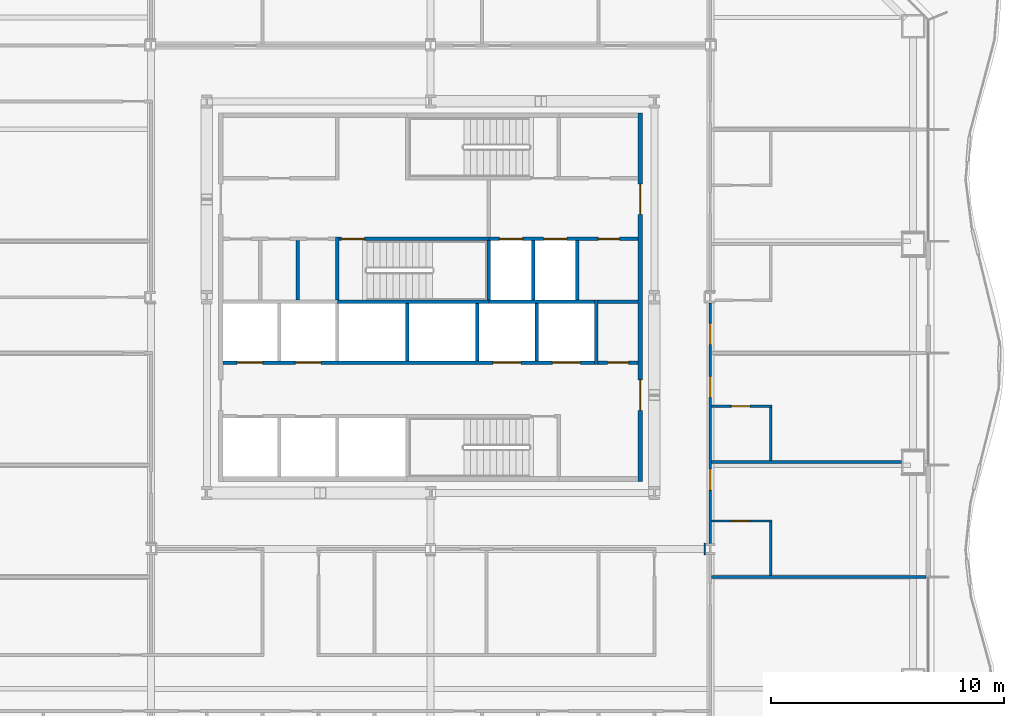
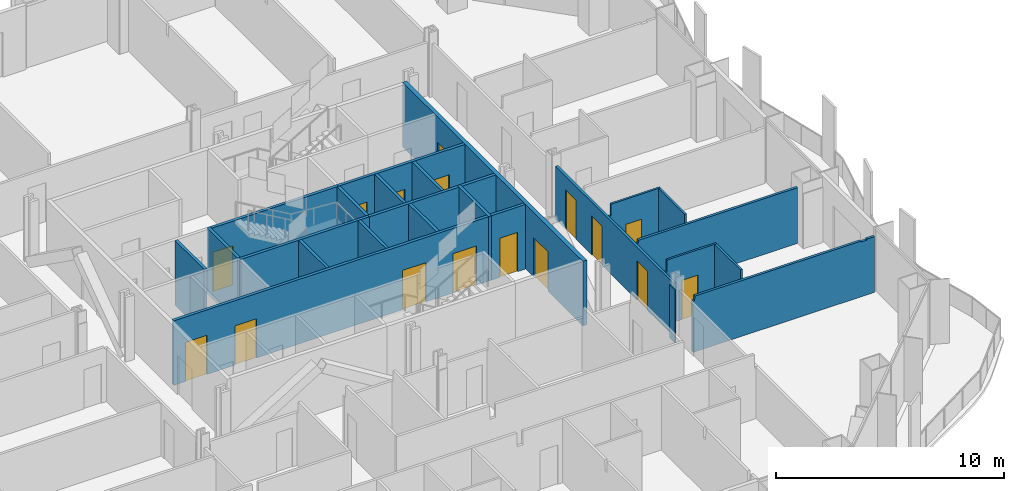
# One storey, part 10 of 21: 25 walls, 16 doors, 16 openings.
"""IFC4 building model written with IfcOpenShell, lengths in metres."""

import ifcopenshell
import ifcopenshell.guid

model = None  # the IFC model being written
_history = None  # IfcOwnerHistory: only IFC2X3 demands one
_inside = {}  # id of a spatial element -> (the spatial element, [elements in it])
_under = {}  # id of a project, library or spatial element -> (it, [spatial elements below it])
_declared = {}  # id of a project -> (the project, [libraries it declares])
_typed = {}  # id of a type object -> (the type object, [elements of that type])
_made_of = {}  # id of a material, layer set ... -> (it, [elements and type objects made of it])


def new_model(schema):
    """Start an empty IFC model of exactly this schema.

    Asked for "IFC4X3", IfcOpenShell would pick the latest addendum, in which some entities
    have other attributes; the version numbers below select the first issue.
    IFC2X3 requires an IfcOwnerHistory on every rooted entity: one is made here for all.
    """
    global model, _history
    if schema == "IFC4X3":
        model = ifcopenshell.file(schema_version=(4, 3, 0, 0))
    else:
        model = ifcopenshell.file(schema=schema)
    _inside.clear()
    _under.clear()
    _declared.clear()
    _typed.clear()
    _made_of.clear()
    _history = None
    if model.schema == "IFC2X3":
        org = make("IfcOrganization", Name="unknown")
        user = make(
            "IfcPersonAndOrganization",
            ThePerson=make("IfcPerson", FamilyName="unknown"),
            TheOrganization=org,
        )
        app = make(
            "IfcApplication",
            ApplicationDeveloper=org,
            Version="unknown",
            ApplicationFullName="unknown",
            ApplicationIdentifier="unknown",
        )
        _history = make(
            "IfcOwnerHistory",
            OwningUser=user,
            OwningApplication=app,
            ChangeAction="ADDED",
            CreationDate=0,
        )
    return model


def make(cls, **values):
    """One entity of the class cls with the attributes given. An attribute that is None is left unset."""
    return model.create_entity(
        cls, **{name: value for name, value in values.items() if value is not None}
    )


def rooted(cls, **values):
    """An entity with a GlobalId (a new one), such as an element, a storey or a relation."""
    return make(cls, GlobalId=ifcopenshell.guid.new(), OwnerHistory=_history, **values)


def si_unit(unit_type, name, prefix=None):
    """IfcSIUnit, for example si_unit("LENGTHUNIT", "METRE", prefix="MILLI")."""
    return make("IfcSIUnit", UnitType=unit_type, Prefix=prefix, Name=name)


def assignment(units):
    """IfcUnitAssignment: the units of a project."""
    return None if units is None else make("IfcUnitAssignment", Units=units)


def point(xyz):
    """IfcCartesianPoint."""
    return None if xyz is None else make("IfcCartesianPoint", Coordinates=xyz)


def direction(xyz):
    """IfcDirection."""
    return None if xyz is None else make("IfcDirection", DirectionRatios=xyz)


def frame(location, z_axis=None, x_axis=None):
    """IfcAxis2Placement3D, a coordinate frame: its origin and axes. An axis left out is left unset."""
    return make(
        "IfcAxis2Placement3D",
        Location=point(location),
        Axis=direction(z_axis),
        RefDirection=direction(x_axis),
    )


def frame_2d(location, x_axis=None):
    """IfcAxis2Placement2D, a coordinate frame in the plane: its origin and x axis."""
    return make(
        "IfcAxis2Placement2D", Location=point(location), RefDirection=direction(x_axis)
    )


def origin():
    """The frame at (0, 0, 0) with its axes left unset."""
    return frame((0.0, 0.0, 0.0))


def place(relative_to, where):
    """IfcLocalPlacement: puts the frame where relative to a parent placement (None: the world)."""
    return make(
        "IfcLocalPlacement", PlacementRelTo=relative_to, RelativePlacement=where
    )


def context(
    kind, dimensions, precision=None, world=None, true_north=None, identifier=None
):
    """IfcGeometricRepresentationContext, for example the 3D "Model" context."""
    return make(
        "IfcGeometricRepresentationContext",
        ContextIdentifier=identifier,
        ContextType=kind,
        CoordinateSpaceDimension=dimensions,
        Precision=precision,
        WorldCoordinateSystem=world,
        TrueNorth=true_north,
    )


def subcontext(parent, identifier, kind, view, scale=None):
    """IfcGeometricRepresentationSubContext, for example "Body" below "Model"."""
    return make(
        "IfcGeometricRepresentationSubContext",
        ContextIdentifier=identifier,
        ContextType=kind,
        ParentContext=parent,
        TargetScale=scale,
        TargetView=view,
    )


def project(units=None, contexts=None):
    """IfcProject with its units and contexts."""
    return rooted(
        "IfcProject",
        Name="project",
        RepresentationContexts=contexts,
        UnitsInContext=assignment(units),
    )


def spatial(cls, under=None, at=None, **own):
    """A site, building, storey or space (cls), placed at a placement, below another one or the project."""
    s = rooted(cls, ObjectPlacement=at, **own)
    if under is not None:
        _under.setdefault(under.id(), (under, []))[1].append(s)
    return s


def polyline(points):
    """IfcPolyline through the points."""
    return make("IfcPolyline", Points=[point(p) for p in points])


def profile(cls, at=None, kind="AREA", **sizes):
    """A parametric profile (cls). Its sizes go by their IFC names, for example OverallWidth=200.0."""
    return make(cls, ProfileType=kind, Position=at, **sizes)


def rectangle(**sizes):
    """IfcRectangleProfileDef."""
    return profile("IfcRectangleProfileDef", **sizes)


def outline(outer, holes=None, kind="AREA"):
    """IfcArbitraryClosedProfileDef: a profile drawn as a closed curve; with holes, ...WithVoids."""
    if holes is None:
        return make("IfcArbitraryClosedProfileDef", ProfileType=kind, OuterCurve=outer)
    return make(
        "IfcArbitraryProfileDefWithVoids",
        ProfileType=kind,
        OuterCurve=outer,
        InnerCurves=holes,
    )


def extrude(swept, where, along, depth):
    """IfcExtrudedAreaSolid: the profile swept, set in the frame where, extruded along a direction by depth."""
    return make(
        "IfcExtrudedAreaSolid",
        SweptArea=swept,
        Position=where,
        ExtrudedDirection=direction(along),
        Depth=depth,
    )


def shape(context_of_items, identifier, shape_type, items):
    """IfcShapeRepresentation: the items that make up one representation, for example the "Body"."""
    return make(
        "IfcShapeRepresentation",
        ContextOfItems=context_of_items,
        RepresentationIdentifier=identifier,
        RepresentationType=shape_type,
        Items=items,
    )


def material(Name=None, Category=None):
    """IfcMaterial."""
    return make("IfcMaterial", Name=Name, Category=Category)


def layer(
    of_material, thickness, ventilated=None, Name=None, Category=None, Priority=None
):
    """IfcMaterialLayer: one layer of a wall or slab, of a material (None: an air gap)."""
    return make(
        "IfcMaterialLayer",
        Material=of_material,
        LayerThickness=thickness,
        IsVentilated=ventilated,
        Name=Name,
        Category=Category,
        Priority=Priority,
    )


def layer_set(layers, Name=None):
    """IfcMaterialLayerSet."""
    return make("IfcMaterialLayerSet", MaterialLayers=layers, LayerSetName=Name)


def made_of(thing, what):
    """Note that an element or type object is made of a material, layer set ...; save() writes the relation."""
    if what is not None:
        _made_of.setdefault(what.id(), (what, []))[1].append(thing)
    return thing


def type_object(cls, material=None, **own):
    """A type object (cls), such as IfcWallType, which elements share."""
    return made_of(rooted(cls, **own), material)


def element(
    cls,
    number,
    at=None,
    inside=None,
    cuts=None,
    type_object=None,
    material=None,
    context=None,
    identifier="Body",
    shape_type=None,
    held_by="IfcProductDefinitionShape",
    body=None,
    shapes=None,
    **own,
):
    """One element of the class cls, such as IfcWall. Its Tag is "e" and its number.

    at: its placement. inside: the storey or other place that contains it. cuts: it is an
    opening in that element (IfcRelVoidsElement). A single representation is given by context,
    identifier, shape_type and body (its items); several are given by shapes. held_by: the class
    of the entity that holds the representations. save() writes the other relations.
    """
    e = rooted(cls, Tag="e%d" % number, ObjectPlacement=at, **own)
    if body is not None:
        shapes = [shape(context, identifier, shape_type, body)]
    if shapes is not None:
        e.Representation = make(held_by, Representations=shapes)
    if inside is not None:
        _inside.setdefault(inside.id(), (inside, []))[1].append(e)
    if cuts is not None:
        rooted(
            "IfcRelVoidsElement", RelatingBuildingElement=cuts, RelatedOpeningElement=e
        )
    if type_object is not None:
        _typed.setdefault(type_object.id(), (type_object, []))[1].append(e)
    return made_of(e, material)


def fill(opening, filler):
    """IfcRelFillsElement: the door or window that sits in an opening."""
    return rooted(
        "IfcRelFillsElement",
        RelatingOpeningElement=opening,
        RelatedBuildingElement=filler,
    )


def aggregate(whole, parts):
    """IfcRelAggregates: a whole, such as a stair, and the parts it consists of."""
    return rooted("IfcRelAggregates", RelatingObject=whole, RelatedObjects=parts)


def save(model, path):
    """Write the relations noted so far, then the file.

    IfcRelAggregates (storeys below a building ...), IfcRelContainedInSpatialStructure (elements
    in a storey), IfcRelDefinesByType, IfcRelAssociatesMaterial and IfcRelDeclares: one each for
    every whole, place, type object, material and project.
    """
    for whole, parts in _under.values():
        aggregate(whole, parts)
    for where, things in _inside.values():
        rooted(
            "IfcRelContainedInSpatialStructure",
            RelatedElements=things,
            RelatingStructure=where,
        )
    for kind, things in _typed.values():
        rooted("IfcRelDefinesByType", RelatedObjects=things, RelatingType=kind)
    for what, things in _made_of.values():
        rooted("IfcRelAssociatesMaterial", RelatedObjects=things, RelatingMaterial=what)
    for by, libraries in _declared.values():
        rooted("IfcRelDeclares", RelatingContext=by, RelatedDefinitions=libraries)
    model.write(path)


model = new_model("IFC4")

# Units and contexts
model_context = context("Model", 3, precision=1e-05, world=origin(), true_north=direction((0.0, 1.0)))
body_context = subcontext(model_context, "Body", "Model", "MODEL_VIEW")
ifc_project = project(units=[si_unit("LENGTHUNIT", "METRE"), si_unit("AREAUNIT", "SQUARE_METRE"), si_unit("VOLUMEUNIT", "CUBIC_METRE"), si_unit("PLANEANGLEUNIT", "RADIAN"), si_unit("MASSUNIT", "GRAM", prefix="KILO")], contexts=[model_context])

# Site, building, storey
site_placement = place(None, origin())
site = spatial("IfcSite", under=ifc_project, at=site_placement, CompositionType="ELEMENT")
building_placement = place(site_placement, origin())
building = spatial("IfcBuilding", under=site, at=building_placement, Name="Cairn Pilgrim Tower", CompositionType="ELEMENT")
storey_placement = place(building_placement, frame((0.0, 0.0, 47.39990234375)))
storey = spatial("IfcBuildingStorey", under=building, at=storey_placement, Name="L09", CompositionType="ELEMENT", Elevation=47.39990234375)

# Wall, openings, doors
ifc_material_1 = material(Name="Concrete C32/40", Category="concrete")
ifc_layer_1 = layer(ifc_material_1, 0.199951171875)
ifc_layer_set_1 = layer_set([ifc_layer_1], Name="CORE OUTER WALL 200 EI 120")
wall_type_1 = type_object("IfcWallType", Name="CORE OUTER WALL 200 EI 120", PredefinedType="SOLIDWALL", material=ifc_layer_set_1)
wall_1_placement = place(storey_placement, frame((16.199951171875, -5.5, 0.0), z_axis=(0.0, 0.0, 1.0), x_axis=(0.0, 1.0, 0.0)))
wall_1 = element("IfcWall", 1, at=wall_1_placement, inside=storey, type_object=wall_type_1, Name="CW:L09:V33", PredefinedType="SOLIDWALL", context=body_context, shape_type="SweptSolid", body=[
    extrude(rectangle(XDim=15.800048828125, YDim=0.199951171875, at=frame_2d((7.89990234375, 0.0))), origin(), (0.0, 0.0, 1.0), 3.4501953125),
])
opening_1_placement = place(wall_1_placement, frame((3.050048828125, 0.0, 0.0)))
opening_1 = element("IfcOpeningElement", 2, at=opening_1_placement, cuts=wall_1, Name="Opening CD-E1", PredefinedType="OPENING", context=body_context, shape_type="SweptSolid", body=[
    extrude(rectangle(XDim=1.300048828125, YDim=2.10009765625, at=frame_2d((0.64990234375, 1.050048828125))), frame((0.0, 0.10986328125, 0.0), z_axis=(0.0, -1.0, 0.0), x_axis=(1.0, 0.0, 0.0)), (0.0, 0.0, 1.0), 0.219970703125),
])
opening_2_placement = place(wall_1_placement, frame((11.449951171875, 0.0, 0.0)))
opening_2 = element("IfcOpeningElement", 3, at=opening_2_placement, cuts=wall_1, Name="Opening CD-E2", PredefinedType="OPENING", context=body_context, shape_type="SweptSolid", body=[
    extrude(rectangle(XDim=1.300048828125, YDim=2.10009765625, at=frame_2d((0.64990234375, 1.050048828125))), frame((0.0, 0.10986328125, 0.0), z_axis=(0.0, -1.0, 0.0), x_axis=(1.0, 0.0, 0.0)), (0.0, 0.0, 1.0), 0.219970703125),
])
ifc_material_2 = material(Name="Painted steel", Category="steel")
door_type_1 = type_object("IfcDoorType", Name="CORE LOBBY DOOR 1300x2100", OperationType="DOUBLE_DOOR_SINGLE_SWING", PredefinedType="DOOR", material=ifc_material_2)
door_1_placement = place(opening_1_placement, origin())
door_1 = element("IfcDoor", 4, at=door_1_placement, inside=storey, type_object=door_type_1, Name="CD-E1", OperationType="DOUBLE_DOOR_SINGLE_SWING", OverallHeight=2.10009765625, OverallWidth=1.300048828125, PredefinedType="DOOR", context=body_context, shape_type="SweptSolid", body=[
    extrude(rectangle(XDim=1.300048828125, YDim=2.10009765625, at=frame_2d((0.64990234375, 1.050048828125))), frame((0.0, 0.02490234375, 0.0), z_axis=(0.0, -1.0, 0.0), x_axis=(1.0, 0.0, 0.0)), (0.0, 0.0, 1.0), 0.050048828125),
])
fill(opening_1, door_1)
door_2_placement = place(opening_2_placement, origin())
door_2 = element("IfcDoor", 5, at=door_2_placement, inside=storey, type_object=door_type_1, Name="CD-E2", OperationType="DOUBLE_DOOR_SINGLE_SWING", OverallHeight=2.10009765625, OverallWidth=1.300048828125, PredefinedType="DOOR", context=body_context, shape_type="SweptSolid", body=[
    extrude(rectangle(XDim=1.300048828125, YDim=2.10009765625, at=frame_2d((0.64990234375, 1.050048828125))), frame((0.0, 0.02490234375, 0.0), z_axis=(0.0, -1.0, 0.0), x_axis=(1.0, 0.0, 0.0)), (0.0, 0.0, 1.0), 0.050048828125),
])
fill(opening_2, door_2)

# Wall, opening, door
ifc_layer_2 = layer(ifc_material_1, 0.14990234375)
ifc_layer_set_2 = layer_set([ifc_layer_2], Name="CORE PARTITION 150 EI 60")
wall_type_2 = type_object("IfcWallType", Name="CORE PARTITION 150 EI 60", PredefinedType="PARTITIONING", material=ifc_layer_set_2)
wall_2_placement = place(storey_placement, frame((14.375, -0.39990234375, 0.0), z_axis=(0.0, 0.0, 1.0), x_axis=(1.0, 0.0, 0.0)))
wall_2 = element("IfcWall", 6, at=wall_2_placement, inside=storey, type_object=wall_type_2, Name="CW:L09:H04", PredefinedType="PARTITIONING", context=body_context, shape_type="SweptSolid", body=[
    extrude(rectangle(XDim=1.72509765625, YDim=0.14990234375, at=frame_2d((0.862548828125, 0.0))), origin(), (0.0, 0.0, 1.0), 3.4501953125),
])
opening_3_placement = place(wall_2_placement, frame((0.425048828125, 0.0, 0.0)))
opening_3 = element("IfcOpeningElement", 7, at=opening_3_placement, cuts=wall_2, Name="Opening RD-R2E", PredefinedType="OPENING", context=body_context, shape_type="SweptSolid", body=[
    extrude(rectangle(XDim=0.89990234375, YDim=2.10009765625, at=frame_2d((0.449951171875, 1.050048828125))), frame((0.0, 0.0849609375, 0.0), z_axis=(0.0, -1.0, 0.0), x_axis=(1.0, 0.0, 0.0)), (0.0, 0.0, 1.0), 0.169921875),
])
door_type_2 = type_object("IfcDoorType", Name="SERVICE ROOM DOOR 900x2100", OperationType="SINGLE_SWING_LEFT", PredefinedType="DOOR", material=ifc_material_2)
door_3_placement = place(opening_3_placement, origin())
door_3 = element("IfcDoor", 8, at=door_3_placement, inside=storey, type_object=door_type_2, Name="RD-R2E", OperationType="SINGLE_SWING_LEFT", OverallHeight=2.10009765625, OverallWidth=0.89990234375, PredefinedType="DOOR", context=body_context, shape_type="SweptSolid", body=[
    extrude(rectangle(XDim=0.89990234375, YDim=2.10009765625, at=frame_2d((0.449951171875, 1.050048828125))), frame((0.0, 0.02490234375, 0.0), z_axis=(0.0, -1.0, 0.0), x_axis=(1.0, 0.0, 0.0)), (0.0, 0.0, 1.0), 0.050048828125),
])
fill(opening_3, door_3)

# Walls
wall_3_placement = place(storey_placement, frame((14.375, 2.199951171875, 0.0), z_axis=(0.0, 0.0, 1.0), x_axis=(1.0, 0.0, 0.0)))
element("IfcWall", 9, at=wall_3_placement, inside=storey, type_object=wall_type_2, Name="CW:L09:H06", PredefinedType="PARTITIONING", context=body_context, shape_type="SweptSolid", body=[
    extrude(rectangle(XDim=1.72509765625, YDim=0.14990234375, at=frame_2d((0.862548828125, 0.0))), origin(), (0.0, 0.0, 1.0), 3.4501953125),
])
wall_4_placement = place(storey_placement, frame((1.5, 2.27490234375, 0.0), z_axis=(0.0, 0.0, 1.0), x_axis=(0.0, 1.0, 0.0)))
element("IfcWall", 10, at=wall_4_placement, inside=storey, type_object=wall_type_2, Name="CW:L09:V16", PredefinedType="PARTITIONING", context=body_context, shape_type="SweptSolid", body=[
    extrude(rectangle(XDim=2.550048828125, YDim=0.14990234375, at=frame_2d((1.27490234375, 0.0))), origin(), (0.0, 0.0, 1.0), 3.4501953125),
])

# Wall, openings, doors
ifc_layer_3 = layer(ifc_material_1, 0.14990234375)
ifc_layer_set_3 = layer_set([ifc_layer_3], Name="CORE SHAFT WALL 150 EI 120")
wall_type_3 = type_object("IfcWallType", Name="CORE SHAFT WALL 150 EI 120", PredefinedType="SOLIDWALL", material=ifc_layer_set_3)
wall_5_placement = place(storey_placement, frame((-1.699951171875, -0.39990234375, 0.0), z_axis=(0.0, 0.0, 1.0), x_axis=(1.0, 0.0, 0.0)))
wall_5 = element("IfcWall", 11, at=wall_5_placement, inside=storey, type_object=wall_type_3, Name="CW:L09:H03", PredefinedType="SOLIDWALL", context=body_context, shape_type="SweptSolid", body=[
    extrude(rectangle(XDim=15.925048828125, YDim=0.14990234375, at=frame_2d((7.96240234375, 0.0))), origin(), (0.0, 0.0, 1.0), 3.4501953125),
])
opening_4_placement = place(wall_5_placement, frame((0.60009765625, 0.0, 0.0)))
opening_4 = element("IfcOpeningElement", 12, at=opening_4_placement, cuts=wall_5, Name="Opening LD-LR3", PredefinedType="OPENING", context=body_context, shape_type="SweptSolid", body=[
    extrude(rectangle(XDim=1.10009765625, YDim=2.10009765625, at=frame_2d((0.550048828125, 1.050048828125))), frame((0.0, 0.0849609375, 0.0), z_axis=(0.0, -1.0, 0.0), x_axis=(1.0, 0.0, 0.0)), (0.0, 0.0, 1.0), 0.169921875),
])
opening_5_placement = place(wall_5_placement, frame((3.10009765625, 0.0, 0.0)))
opening_5 = element("IfcOpeningElement", 13, at=opening_5_placement, cuts=wall_5, Name="Opening LD-LR4", PredefinedType="OPENING", context=body_context, shape_type="SweptSolid", body=[
    extrude(rectangle(XDim=1.10009765625, YDim=2.10009765625, at=frame_2d((0.550048828125, 1.050048828125))), frame((0.0, 0.0849609375, 0.0), z_axis=(0.0, -1.0, 0.0), x_axis=(1.0, 0.0, 0.0)), (0.0, 0.0, 1.0), 0.169921875),
])
opening_6_placement = place(wall_5_placement, frame((11.574951171875, 0.0, 0.0)))
opening_6 = element("IfcOpeningElement", 14, at=opening_6_placement, cuts=wall_5, Name="Opening LD-SV1", PredefinedType="OPENING", context=body_context, shape_type="SweptSolid", body=[
    extrude(rectangle(XDim=1.199951171875, YDim=2.10009765625, at=frame_2d((0.60009765625, 1.050048828125))), frame((0.0, 0.0849609375, 0.0), z_axis=(0.0, -1.0, 0.0), x_axis=(1.0, 0.0, 0.0)), (0.0, 0.0, 1.0), 0.169921875),
])
opening_7_placement = place(wall_5_placement, frame((14.125, 0.0, 0.0)))
opening_7 = element("IfcOpeningElement", 15, at=opening_7_placement, cuts=wall_5, Name="Opening LD-SV2", PredefinedType="OPENING", context=body_context, shape_type="SweptSolid", body=[
    extrude(rectangle(XDim=1.199951171875, YDim=2.10009765625, at=frame_2d((0.60009765625, 1.050048828125))), frame((0.0, 0.0849609375, 0.0), z_axis=(0.0, -1.0, 0.0), x_axis=(1.0, 0.0, 0.0)), (0.0, 0.0, 1.0), 0.169921875),
])
ifc_material_3 = material(Name="Stainless steel", Category="steel")
door_type_3 = type_object("IfcDoorType", Name="LIFT LANDING DOOR 1100x2100", OperationType="DOUBLE_DOOR_SLIDING", PredefinedType="DOOR", material=ifc_material_3)
door_4_placement = place(opening_4_placement, origin())
door_4 = element("IfcDoor", 16, at=door_4_placement, inside=storey, type_object=door_type_3, Name="LANDING DOOR LR3", OperationType="DOUBLE_DOOR_SLIDING", OverallHeight=2.10009765625, OverallWidth=1.10009765625, PredefinedType="DOOR", context=body_context, shape_type="SweptSolid", body=[
    extrude(rectangle(XDim=1.10009765625, YDim=2.10009765625, at=frame_2d((0.550048828125, 1.050048828125))), frame((0.0, 0.02490234375, 0.0), z_axis=(0.0, -1.0, 0.0), x_axis=(1.0, 0.0, 0.0)), (0.0, 0.0, 1.0), 0.050048828125),
])
fill(opening_4, door_4)
door_5_placement = place(opening_5_placement, origin())
door_5 = element("IfcDoor", 17, at=door_5_placement, inside=storey, type_object=door_type_3, Name="LANDING DOOR LR4", OperationType="DOUBLE_DOOR_SLIDING", OverallHeight=2.10009765625, OverallWidth=1.10009765625, PredefinedType="DOOR", context=body_context, shape_type="SweptSolid", body=[
    extrude(rectangle(XDim=1.10009765625, YDim=2.10009765625, at=frame_2d((0.550048828125, 1.050048828125))), frame((0.0, 0.02490234375, 0.0), z_axis=(0.0, -1.0, 0.0), x_axis=(1.0, 0.0, 0.0)), (0.0, 0.0, 1.0), 0.050048828125),
])
fill(opening_5, door_5)
door_type_4 = type_object("IfcDoorType", Name="LIFT LANDING DOOR 1200x2100", OperationType="DOUBLE_DOOR_SLIDING", PredefinedType="DOOR", material=ifc_material_3)
door_6_placement = place(opening_6_placement, origin())
door_6 = element("IfcDoor", 18, at=door_6_placement, inside=storey, type_object=door_type_4, Name="LANDING DOOR SV1", OperationType="DOUBLE_DOOR_SLIDING", OverallHeight=2.10009765625, OverallWidth=1.199951171875, PredefinedType="DOOR", context=body_context, shape_type="SweptSolid", body=[
    extrude(rectangle(XDim=1.199951171875, YDim=2.10009765625, at=frame_2d((0.60009765625, 1.050048828125))), frame((0.0, 0.02490234375, 0.0), z_axis=(0.0, -1.0, 0.0), x_axis=(1.0, 0.0, 0.0)), (0.0, 0.0, 1.0), 0.050048828125),
])
fill(opening_6, door_6)
door_7_placement = place(opening_7_placement, origin())
door_7 = element("IfcDoor", 19, at=door_7_placement, inside=storey, type_object=door_type_4, Name="LANDING DOOR SV2", OperationType="DOUBLE_DOOR_SLIDING", OverallHeight=2.10009765625, OverallWidth=1.199951171875, PredefinedType="DOOR", context=body_context, shape_type="SweptSolid", body=[
    extrude(rectangle(XDim=1.199951171875, YDim=2.10009765625, at=frame_2d((0.60009765625, 1.050048828125))), frame((0.0, 0.02490234375, 0.0), z_axis=(0.0, -1.0, 0.0), x_axis=(1.0, 0.0, 0.0)), (0.0, 0.0, 1.0), 0.050048828125),
])
fill(opening_7, door_7)

# Wall
wall_6_placement = place(storey_placement, frame((9.699951171875, 2.199951171875, 0.0), z_axis=(0.0, 0.0, 1.0), x_axis=(1.0, 0.0, 0.0)))
element("IfcWall", 20, at=wall_6_placement, inside=storey, type_object=wall_type_3, Name="CW:L09:H05-3", PredefinedType="SOLIDWALL", context=body_context, shape_type="SweptSolid", body=[
    extrude(rectangle(XDim=4.525146484375, YDim=0.14990234375, at=frame_2d((2.2626953125, 0.0))), origin(), (0.0, 0.0, 1.0), 3.4501953125),
])

# Wall, openings, doors
wall_7_placement = place(storey_placement, frame((9.699951171875, 4.89990234375, 0.0), z_axis=(0.0, 0.0, 1.0), x_axis=(1.0, 0.0, 0.0)))
wall_7 = element("IfcWall", 21, at=wall_7_placement, inside=storey, type_object=wall_type_3, Name="CW:L09:H08-2", PredefinedType="SOLIDWALL", context=body_context, shape_type="SweptSolid", body=[
    extrude(rectangle(XDim=6.400146484375, YDim=0.14990234375, at=frame_2d((3.2001953125, 0.0))), origin(), (0.0, 0.0, 1.0), 3.4501953125),
])
opening_8_placement = place(wall_7_placement, frame((0.449951171875, 0.0, 0.0)))
opening_8 = element("IfcOpeningElement", 22, at=opening_8_placement, cuts=wall_7, Name="Opening LD-FF1", PredefinedType="OPENING", context=body_context, shape_type="SweptSolid", body=[
    extrude(rectangle(XDim=1.0, YDim=2.10009765625, at=frame_2d((0.5, 1.050048828125))), frame((0.0, 0.0849609375, 0.0), z_axis=(0.0, -1.0, 0.0), x_axis=(1.0, 0.0, 0.0)), (0.0, 0.0, 1.0), 0.169921875),
])
opening_9_placement = place(wall_7_placement, frame((2.35009765625, 0.0, 0.0)))
opening_9 = element("IfcOpeningElement", 23, at=opening_9_placement, cuts=wall_7, Name="Opening LD-FF2", PredefinedType="OPENING", context=body_context, shape_type="SweptSolid", body=[
    extrude(rectangle(XDim=1.0, YDim=2.10009765625, at=frame_2d((0.5, 1.050048828125))), frame((0.0, 0.0849609375, 0.0), z_axis=(0.0, -1.0, 0.0), x_axis=(1.0, 0.0, 0.0)), (0.0, 0.0, 1.0), 0.169921875),
])
opening_10_placement = place(wall_7_placement, frame((4.699951171875, 0.0, 0.0)))
opening_10 = element("IfcOpeningElement", 24, at=opening_10_placement, cuts=wall_7, Name="Opening RD-R3E", PredefinedType="OPENING", context=body_context, shape_type="SweptSolid", body=[
    extrude(rectangle(XDim=0.89990234375, YDim=2.10009765625, at=frame_2d((0.449951171875, 1.050048828125))), frame((0.0, 0.0849609375, 0.0), z_axis=(0.0, -1.0, 0.0), x_axis=(1.0, 0.0, 0.0)), (0.0, 0.0, 1.0), 0.169921875),
])
door_type_5 = type_object("IfcDoorType", Name="LIFT LANDING DOOR FIRE 1000x2100", OperationType="DOUBLE_DOOR_SLIDING", PredefinedType="DOOR", material=ifc_material_3)
door_8_placement = place(opening_8_placement, origin())
door_8 = element("IfcDoor", 25, at=door_8_placement, inside=storey, type_object=door_type_5, Name="LANDING DOOR FF1", OperationType="DOUBLE_DOOR_SLIDING", OverallHeight=2.10009765625, OverallWidth=1.0, PredefinedType="DOOR", context=body_context, shape_type="SweptSolid", body=[
    extrude(rectangle(XDim=1.0, YDim=2.10009765625, at=frame_2d((0.5, 1.050048828125))), frame((0.0, 0.02490234375, 0.0), z_axis=(0.0, -1.0, 0.0), x_axis=(1.0, 0.0, 0.0)), (0.0, 0.0, 1.0), 0.050048828125),
])
fill(opening_8, door_8)
door_9_placement = place(opening_9_placement, origin())
door_9 = element("IfcDoor", 26, at=door_9_placement, inside=storey, type_object=door_type_5, Name="LANDING DOOR FF2", OperationType="DOUBLE_DOOR_SLIDING", OverallHeight=2.10009765625, OverallWidth=1.0, PredefinedType="DOOR", context=body_context, shape_type="SweptSolid", body=[
    extrude(rectangle(XDim=1.0, YDim=2.10009765625, at=frame_2d((0.5, 1.050048828125))), frame((0.0, 0.02490234375, 0.0), z_axis=(0.0, -1.0, 0.0), x_axis=(1.0, 0.0, 0.0)), (0.0, 0.0, 1.0), 0.050048828125),
])
fill(opening_9, door_9)
door_10_placement = place(opening_10_placement, origin())
door_10 = element("IfcDoor", 27, at=door_10_placement, inside=storey, type_object=door_type_2, Name="RD-R3E", OperationType="SINGLE_SWING_RIGHT", OverallHeight=2.10009765625, OverallWidth=0.89990234375, PredefinedType="DOOR", context=body_context, shape_type="SweptSolid", body=[
    extrude(rectangle(XDim=0.89990234375, YDim=2.10009765625, at=frame_2d((0.449951171875, 1.050048828125))), frame((0.0, 0.02490234375, 0.0), z_axis=(0.0, -1.0, 0.0), x_axis=(1.0, 0.0, 0.0)), (0.0, 0.0, 1.0), 0.050048828125),
])
fill(opening_10, door_10)

# Walls
for number, where, z_axis, x_axis, name in (
    (28, (6.199951171875, -0.324951171875, 0.0), (0.0, 0.0, 1.0), (0.0, 1.0, 0.0), "CW:L09:V22"),
    (29, (9.199951171875, -0.324951171875, 0.0), (0.0, 0.0, 1.0), (0.0, 1.0, 0.0), "CW:L09:V24"),
):
    element("IfcWall", number, at=place(storey_placement, frame(where, z_axis=z_axis, x_axis=x_axis)), inside=storey, type_object=wall_type_3, Name=name, PredefinedType="SOLIDWALL", context=body_context, shape_type="SweptSolid", body=[
        extrude(rectangle(XDim=2.449951171875, YDim=0.14990234375, at=frame_2d((1.22509765625, 0.0))), origin(), (0.0, 0.0, 1.0), 3.4501953125),
    ])
wall_8_placement = place(storey_placement, frame((11.60009765625, 2.27490234375, 0.0), z_axis=(0.0, 0.0, 1.0), x_axis=(0.0, 1.0, 0.0)))
element("IfcWall", 30, at=wall_8_placement, inside=storey, type_object=wall_type_3, Name="CW:L09:V27", PredefinedType="SOLIDWALL", context=body_context, shape_type="SweptSolid", body=[
    extrude(rectangle(XDim=2.550048828125, YDim=0.14990234375, at=frame_2d((1.27490234375, 0.0))), origin(), (0.0, 0.0, 1.0), 3.4501953125),
])
wall_9_placement = place(storey_placement, frame((11.75, -0.324951171875, 0.0), z_axis=(0.0, 0.0, 1.0), x_axis=(0.0, 1.0, 0.0)))
element("IfcWall", 31, at=wall_9_placement, inside=storey, type_object=wall_type_3, Name="CW:L09:V28", PredefinedType="SOLIDWALL", context=body_context, shape_type="SweptSolid", body=[
    extrude(rectangle(XDim=2.449951171875, YDim=0.14990234375, at=frame_2d((1.22509765625, 0.0))), origin(), (0.0, 0.0, 1.0), 3.4501953125),
])
wall_10_placement = place(storey_placement, frame((13.5, 2.27490234375, 0.0), z_axis=(0.0, 0.0, 1.0), x_axis=(0.0, 1.0, 0.0)))
element("IfcWall", 32, at=wall_10_placement, inside=storey, type_object=wall_type_3, Name="CW:L09:V31", PredefinedType="SOLIDWALL", context=body_context, shape_type="SweptSolid", body=[
    extrude(rectangle(XDim=2.550048828125, YDim=0.14990234375, at=frame_2d((1.27490234375, 0.0))), origin(), (0.0, 0.0, 1.0), 3.4501953125),
])
wall_11_placement = place(storey_placement, frame((14.300048828125, -0.47509765625, 0.0), z_axis=(0.0, 0.0, 1.0), x_axis=(0.0, 1.0, 0.0)))
element("IfcWall", 33, at=wall_11_placement, inside=storey, type_object=wall_type_3, Name="CW:L09:V32", PredefinedType="SOLIDWALL", context=body_context, shape_type="SweptSolid", body=[
    extrude(rectangle(XDim=2.75, YDim=0.14990234375, at=frame_2d((1.375, 0.0))), origin(), (0.0, 0.0, 1.0), 3.4501953125),
])
ifc_material_4 = material(Name="Gypsum partition")
ifc_layer_4 = layer(ifc_material_4, 0.10009765625)
ifc_layer_set_4 = layer_set([ifc_layer_4], Name="PARTITION 100 DRYWALL")
wall_type_4 = type_object("IfcWallType", Name="PARTITION 100 DRYWALL", PredefinedType="PARTITIONING", material=ifc_layer_set_4)
wall_12_placement = place(storey_placement, frame((21.800048828125, -9.53759765625, 0.0), z_axis=(0.0, 0.0, 1.0), x_axis=(0.0, 1.0, 0.0)))
element("IfcWall", 34, at=wall_12_placement, inside=storey, type_object=wall_type_4, Name="PARTITION W038", PredefinedType="PARTITIONING", context=body_context, shape_type="SweptSolid", body=[
    extrude(outline(polyline([(0.0, 0.0), (2.28759765625, 0.0), (2.28759765625, 3.4501953125), (0.032470703125, 3.4501953125), (0.030517578125, 2.97998046875), (0.0, 2.97998046875), (0.0, 0.0)])), frame((0.0, 0.050048828125, 0.0), z_axis=(0.0, -1.0, 0.0), x_axis=(1.0, 0.0, 0.0)), (0.0, 0.0, 1.0), 0.10009765625),
])

# Wall, opening, door
wall_13_placement = place(storey_placement, frame((19.262451171875, -7.199951171875, 0.0), z_axis=(0.0, 0.0, 1.0), x_axis=(1.0, 0.0, 0.0)))
wall_13 = element("IfcWall", 35, at=wall_13_placement, inside=storey, type_object=wall_type_4, Name="PARTITION W045", PredefinedType="PARTITIONING", context=body_context, shape_type="SweptSolid", body=[
    extrude(outline(polyline([(0.0, 0.0), (2.587646484375, 0.0), (2.58740234375, 3.4501953125), (0.08740234375, 3.4501953125), (0.08544921875, 2.830078125), (0.0, 2.830078125), (0.0, 0.0)])), frame((0.0, 0.050048828125, 0.0), z_axis=(0.0, -1.0, 0.0), x_axis=(1.0, 0.0, 0.0)), (0.0, 0.0, 1.0), 0.10009765625),
])
opening_11_placement = place(wall_13_placement, frame((0.83740234375, 0.0, 0.0)))
opening_11 = element("IfcOpeningElement", 36, at=opening_11_placement, cuts=wall_13, Name="Opening 0922E", PredefinedType="OPENING", context=body_context, shape_type="SweptSolid", body=[
    extrude(rectangle(XDim=0.800048828125, YDim=2.10009765625, at=frame_2d((0.39990234375, 1.050048828125))), frame((0.0, 0.06005859375, 0.0), z_axis=(0.0, -1.0, 0.0), x_axis=(1.0, 0.0, 0.0)), (0.0, 0.0, 1.0), 0.1201171875),
])
ifc_material_5 = material(Name="Timber door leaf", Category="wood")
door_type_6 = type_object("IfcDoorType", Name="DOOR 800x2100", OperationType="NOTDEFINED", PredefinedType="DOOR", material=ifc_material_5)
door_11_placement = place(opening_11_placement, frame((0.800048828125, 0.0, 0.0), z_axis=(0.0, 0.0, 1.0), x_axis=(-1.0, 0.0, 0.0)))
door_11 = element("IfcDoor", 37, at=door_11_placement, inside=storey, type_object=door_type_6, Name="DOOR 0922E", OperationType="SINGLE_SWING_RIGHT", OverallHeight=2.10009765625, OverallWidth=0.800048828125, PredefinedType="DOOR", context=body_context, shape_type="SweptSolid", body=[
    extrude(rectangle(XDim=0.800048828125, YDim=2.10009765625, at=frame_2d((0.39990234375, 1.050048828125))), frame((0.0, 0.02490234375, 0.0), z_axis=(0.0, -1.0, 0.0), x_axis=(1.0, 0.0, 0.0)), (0.0, 0.0, 1.0), 0.050048828125),
])
fill(opening_11, door_11)

# Wall
wall_14_placement = place(storey_placement, frame((21.800048828125, -4.613525390625, 0.0), z_axis=(0.0, 0.0, 1.0), x_axis=(0.0, 1.0, 0.0)))
element("IfcWall", 38, at=wall_14_placement, inside=storey, type_object=wall_type_4, Name="PARTITION W051", PredefinedType="PARTITIONING", context=body_context, shape_type="SweptSolid", body=[
    extrude(rectangle(XDim=2.28759765625, YDim=0.10009765625, at=frame_2d((1.143798828125, 0.0))), origin(), (0.0, 0.0, 1.0), 3.4501953125),
])

# Wall, opening, door
wall_15_placement = place(storey_placement, frame((19.262451171875, -2.27587890625, 0.0), z_axis=(0.0, 0.0, 1.0), x_axis=(1.0, 0.0, 0.0)))
wall_15 = element("IfcWall", 39, at=wall_15_placement, inside=storey, type_object=wall_type_4, Name="PARTITION W052", PredefinedType="PARTITIONING", context=body_context, shape_type="SweptSolid", body=[
    extrude(outline(polyline([(0.0, 0.0), (2.587646484375, 0.0), (2.58740234375, 3.4501953125), (0.08740234375, 3.4501953125), (0.08544921875, 2.830078125), (0.0, 2.830078125), (0.0, 0.0)])), frame((0.0, 0.050048828125, 0.0), z_axis=(0.0, -1.0, 0.0), x_axis=(1.0, 0.0, 0.0)), (0.0, 0.0, 1.0), 0.10009765625),
])
opening_12_placement = place(wall_15_placement, frame((0.83740234375, 0.0, 0.0)))
opening_12 = element("IfcOpeningElement", 40, at=opening_12_placement, cuts=wall_15, Name="Opening 0923E", PredefinedType="OPENING", context=body_context, shape_type="SweptSolid", body=[
    extrude(rectangle(XDim=0.800048828125, YDim=2.10009765625, at=frame_2d((0.39990234375, 1.050048828125))), frame((0.0, 0.06005859375, 0.0), z_axis=(0.0, -1.0, 0.0), x_axis=(1.0, 0.0, 0.0)), (0.0, 0.0, 1.0), 0.1201171875),
])
door_12_placement = place(opening_12_placement, frame((0.800048828125, 0.0, 0.0), z_axis=(0.0, 0.0, 1.0), x_axis=(-1.0, 0.0, 0.0)))
door_12 = element("IfcDoor", 41, at=door_12_placement, inside=storey, type_object=door_type_6, Name="DOOR 0923E", OperationType="SINGLE_SWING_RIGHT", OverallHeight=2.10009765625, OverallWidth=0.800048828125, PredefinedType="DOOR", context=body_context, shape_type="SweptSolid", body=[
    extrude(rectangle(XDim=0.800048828125, YDim=2.10009765625, at=frame_2d((0.39990234375, 1.050048828125))), frame((0.0, 0.02490234375, 0.0), z_axis=(0.0, -1.0, 0.0), x_axis=(1.0, 0.0, 0.0)), (0.0, 0.0, 1.0), 0.050048828125),
])
fill(opening_12, door_12)

# Wall
ifc_layer_5 = layer(ifc_material_4, 0.125)
ifc_layer_set_5 = layer_set([ifc_layer_5], Name="PARTITION 125 DRYWALL EI 60")
wall_type_5 = type_object("IfcWallType", Name="PARTITION 125 DRYWALL EI 60", PredefinedType="PARTITIONING", material=ifc_layer_set_5)
wall_16_placement = place(storey_placement, frame((19.262451171875, -9.60009765625, 0.0), z_axis=(0.0, 0.0, 1.0), x_axis=(1.0, 0.0, 0.0)))
element("IfcWall", 42, at=wall_16_placement, inside=storey, type_object=wall_type_5, Name="PARTITION W037", PredefinedType="PARTITIONING", context=body_context, shape_type="SweptSolid", body=[
    extrude(outline(polyline([(0.0, 0.0), (9.1875, 0.0), (9.1875, 2.97998046875), (8.78759765625, 2.97998046875), (8.785400390625, 2.93017578125), (8.487548828125, 2.93017578125), (8.485595703125, 2.97998046875), (0.08740234375, 2.97998046875), (0.08544921875, 2.72998046875), (0.0, 2.72998046875), (0.0, 0.0)])), frame((0.0, 0.0625, 0.0), z_axis=(0.0, -1.0, 0.0), x_axis=(1.0, 0.0, 0.0)), (0.0, 0.0, 1.0), 0.125),
])

# Wall, openings, doors
wall_17_placement = place(storey_placement, frame((19.199951171875, -8.1630859375, 0.0), z_axis=(0.0, 0.0, 1.0), x_axis=(0.0, 1.0, 0.0)))
wall_17 = element("IfcWall", 43, at=wall_17_placement, inside=storey, type_object=wall_type_5, Name="PARTITION W044", PredefinedType="PARTITIONING", context=body_context, shape_type="SweptSolid", body=[
    extrude(rectangle(XDim=10.326171875, YDim=0.125, at=frame_2d((5.1630859375, 0.0))), origin(), (0.0, 0.0, 1.0), 2.830078125),
])
opening_13_placement = place(wall_17_placement, frame((2.287109375, 0.0, 0.0)))
opening_13 = element("IfcOpeningElement", 44, at=opening_13_placement, cuts=wall_17, Name="Opening 0922", PredefinedType="OPENING", context=body_context, shape_type="SweptSolid", body=[
    extrude(rectangle(XDim=0.89990234375, YDim=2.10009765625, at=frame_2d((0.449951171875, 1.050048828125))), frame((0.0, 0.072509765625, 0.0), z_axis=(0.0, -1.0, 0.0), x_axis=(1.0, 0.0, 0.0)), (0.0, 0.0, 1.0), 0.14501953125),
])
opening_14_placement = place(wall_17_placement, frame((6.262939453125, 0.0, 0.0)))
opening_14 = element("IfcOpeningElement", 45, at=opening_14_placement, cuts=wall_17, Name="Opening 0923", PredefinedType="OPENING", context=body_context, shape_type="SweptSolid", body=[
    extrude(rectangle(XDim=0.89990234375, YDim=2.10009765625, at=frame_2d((0.449951171875, 1.050048828125))), frame((0.0, 0.072509765625, 0.0), z_axis=(0.0, -1.0, 0.0), x_axis=(1.0, 0.0, 0.0)), (0.0, 0.0, 1.0), 0.14501953125),
])
opening_15_placement = place(wall_17_placement, frame((8.5390625, 0.0, 0.0)))
opening_15 = element("IfcOpeningElement", 46, at=opening_15_placement, cuts=wall_17, Name="Opening 0924", PredefinedType="OPENING", context=body_context, shape_type="SweptSolid", body=[
    extrude(rectangle(XDim=0.89990234375, YDim=2.10009765625, at=frame_2d((0.449951171875, 1.050048828125))), frame((0.0, 0.072509765625, 0.0), z_axis=(0.0, -1.0, 0.0), x_axis=(1.0, 0.0, 0.0)), (0.0, 0.0, 1.0), 0.14501953125),
])
ifc_material_6 = material(Name="Steel-faced fire door leaf", Category="steel")
door_type_7 = type_object("IfcDoorType", Name="FIRE DOOR 900x2100 FD30S", OperationType="NOTDEFINED", PredefinedType="DOOR", material=ifc_material_6)
door_13_placement = place(opening_13_placement, frame((0.89990234375, 0.0, 0.0), z_axis=(0.0, 0.0, 1.0), x_axis=(-1.0, 0.0, 0.0)))
door_13 = element("IfcDoor", 47, at=door_13_placement, inside=storey, type_object=door_type_7, Name="DOOR 0922", OperationType="SINGLE_SWING_LEFT", OverallHeight=2.10009765625, OverallWidth=0.89990234375, PredefinedType="DOOR", context=body_context, shape_type="SweptSolid", body=[
    extrude(rectangle(XDim=0.89990234375, YDim=2.10009765625, at=frame_2d((0.449951171875, 1.050048828125))), frame((0.0, 0.02490234375, 0.0), z_axis=(0.0, -1.0, 0.0), x_axis=(1.0, 0.0, 0.0)), (0.0, 0.0, 1.0), 0.050048828125),
])
fill(opening_13, door_13)
door_14_placement = place(opening_14_placement, frame((0.89990234375, 0.0, 0.0), z_axis=(0.0, 0.0, 1.0), x_axis=(-1.0, 0.0, 0.0)))
door_14 = element("IfcDoor", 48, at=door_14_placement, inside=storey, type_object=door_type_7, Name="DOOR 0923", OperationType="SINGLE_SWING_LEFT", OverallHeight=2.10009765625, OverallWidth=0.89990234375, PredefinedType="DOOR", context=body_context, shape_type="SweptSolid", body=[
    extrude(rectangle(XDim=0.89990234375, YDim=2.10009765625, at=frame_2d((0.449951171875, 1.050048828125))), frame((0.0, 0.02490234375, 0.0), z_axis=(0.0, -1.0, 0.0), x_axis=(1.0, 0.0, 0.0)), (0.0, 0.0, 1.0), 0.050048828125),
])
fill(opening_14, door_14)
door_15_placement = place(opening_15_placement, frame((0.89990234375, 0.0, 0.0), z_axis=(0.0, 0.0, 1.0), x_axis=(-1.0, 0.0, 0.0)))
door_15 = element("IfcDoor", 49, at=door_15_placement, inside=storey, type_object=door_type_7, Name="DOOR 0924", OperationType="SINGLE_SWING_LEFT", OverallHeight=2.10009765625, OverallWidth=0.89990234375, PredefinedType="DOOR", context=body_context, shape_type="SweptSolid", body=[
    extrude(rectangle(XDim=0.89990234375, YDim=2.10009765625, at=frame_2d((0.449951171875, 1.050048828125))), frame((0.0, 0.02490234375, 0.0), z_axis=(0.0, -1.0, 0.0), x_axis=(1.0, 0.0, 0.0)), (0.0, 0.0, 1.0), 0.050048828125),
])
fill(opening_15, door_15)

# Walls
wall_18_placement = place(storey_placement, frame((19.262451171875, -4.676025390625, 0.0), z_axis=(0.0, 0.0, 1.0), x_axis=(1.0, 0.0, 0.0)))
element("IfcWall", 50, at=wall_18_placement, inside=storey, type_object=wall_type_5, Name="PARTITION W049", PredefinedType="PARTITIONING", context=body_context, shape_type="SweptSolid", body=[
    extrude(outline(polyline([(0.0, 0.0), (8.137451171875, 0.0), (8.137451171875, 2.97998046875), (0.08740234375, 2.97998046875), (0.08544921875, 2.830078125), (0.0, 2.830078125), (0.0, 0.0)])), frame((0.0, 0.0625, 0.0), z_axis=(0.0, -1.0, 0.0), x_axis=(1.0, 0.0, 0.0)), (0.0, 0.0, 1.0), 0.125),
])
ifc_layer_6 = layer(ifc_material_4, 0.050048828125)
ifc_layer_set_6 = layer_set([ifc_layer_6], Name="PARTITION 50 DRYWALL EI 60")
wall_type_6 = type_object("IfcWallType", Name="PARTITION 50 DRYWALL EI 60", PredefinedType="PARTITIONING", material=ifc_layer_set_6)
wall_19_placement = place(storey_placement, frame((18.962890625, -8.636962890625, 0.0), z_axis=(0.0, 0.0, 1.0), x_axis=(0.0, 1.0, 0.0)))
element("IfcWall", 51, at=wall_19_placement, inside=storey, type_object=wall_type_6, Name="COLUMN CASING WC09", PredefinedType="PARTITIONING", context=body_context, shape_type="SweptSolid", body=[
    extrude(rectangle(XDim=0.473876953125, YDim=0.050048828125, at=frame_2d((0.23681640625, 0.0))), origin(), (0.0, 0.0, 1.0), 2.830078125),
])
ifc_material_7 = material(Name="Concrete C35/45", Category="concrete")
ifc_layer_7 = layer(ifc_material_7, 0.14990234375)
ifc_layer_set_7 = layer_set([ifc_layer_7], Name="STAIR SHAFT WALL 150 EI 120")
wall_type_7 = type_object("IfcWallType", Name="STAIR SHAFT WALL 150 EI 120", PredefinedType="SOLIDWALL", material=ifc_layer_set_7)
wall_20_placement = place(storey_placement, frame((3.199951171875, 2.199951171875, 0.0), z_axis=(0.0, 0.0, 1.0), x_axis=(1.0, 0.0, 0.0)))
element("IfcWall", 52, at=wall_20_placement, inside=storey, type_object=wall_type_7, Name="CW:L09:H05-2", PredefinedType="SOLIDWALL", context=body_context, shape_type="SweptSolid", body=[
    extrude(rectangle(XDim=6.5, YDim=0.14990234375, at=frame_2d((3.25, 0.0))), origin(), (0.0, 0.0, 1.0), 3.4501953125),
])

# Wall, opening, door
wall_21_placement = place(storey_placement, frame((3.27490234375, 4.89990234375, 0.0), z_axis=(0.0, 0.0, 1.0), x_axis=(1.0, 0.0, 0.0)))
wall_21 = element("IfcWall", 53, at=wall_21_placement, inside=storey, type_object=wall_type_7, Name="CW:L09:H08-1", PredefinedType="SOLIDWALL", context=body_context, shape_type="SweptSolid", body=[
    extrude(rectangle(XDim=6.425048828125, YDim=0.14990234375, at=frame_2d((3.21240234375, 0.0))), origin(), (0.0, 0.0, 1.0), 3.4501953125),
])
opening_16_placement = place(wall_21_placement, frame((0.10009765625, 0.0, 0.0)))
opening_16 = element("IfcOpeningElement", 54, at=opening_16_placement, cuts=wall_21, Name="Opening SD-B", PredefinedType="OPENING", context=body_context, shape_type="SweptSolid", body=[
    extrude(rectangle(XDim=1.0, YDim=2.10009765625, at=frame_2d((0.5, 1.050048828125))), frame((0.0, 0.0849609375, 0.0), z_axis=(0.0, -1.0, 0.0), x_axis=(1.0, 0.0, 0.0)), (0.0, 0.0, 1.0), 0.169921875),
])
door_type_8 = type_object("IfcDoorType", Name="STAIR DOOR FD60S 1000x2100", OperationType="SINGLE_SWING_LEFT", PredefinedType="DOOR", material=ifc_material_2)
door_16_placement = place(opening_16_placement, origin())
door_16 = element("IfcDoor", 55, at=door_16_placement, inside=storey, type_object=door_type_8, Name="SD-B", OperationType="SINGLE_SWING_LEFT", OverallHeight=2.10009765625, OverallWidth=1.0, PredefinedType="DOOR", context=body_context, shape_type="SweptSolid", body=[
    extrude(rectangle(XDim=1.0, YDim=2.10009765625, at=frame_2d((0.5, 1.050048828125))), frame((0.0, 0.02490234375, 0.0), z_axis=(0.0, -1.0, 0.0), x_axis=(1.0, 0.0, 0.0)), (0.0, 0.0, 1.0), 0.050048828125),
])
fill(opening_16, door_16)

# Walls
wall_22_placement = place(storey_placement, frame((3.199951171875, 2.27490234375, 0.0), z_axis=(0.0, 0.0, 1.0), x_axis=(0.0, 1.0, 0.0)))
element("IfcWall", 56, at=wall_22_placement, inside=storey, type_object=wall_type_7, Name="CW:L09:V19", PredefinedType="SOLIDWALL", context=body_context, shape_type="SweptSolid", body=[
    extrude(rectangle(XDim=2.7001953125, YDim=0.14990234375, at=frame_2d((1.35009765625, 0.0))), origin(), (0.0, 0.0, 1.0), 3.4501953125),
])
wall_23_placement = place(storey_placement, frame((9.699951171875, 2.27490234375, 0.0), z_axis=(0.0, 0.0, 1.0), x_axis=(0.0, 1.0, 0.0)))
element("IfcWall", 57, at=wall_23_placement, inside=storey, type_object=wall_type_7, Name="CW:L09:V25", PredefinedType="SOLIDWALL", context=body_context, shape_type="SweptSolid", body=[
    extrude(rectangle(XDim=2.550048828125, YDim=0.14990234375, at=frame_2d((1.27490234375, 0.0))), origin(), (0.0, 0.0, 1.0), 3.4501953125),
])

save(model, "model.ifc")
